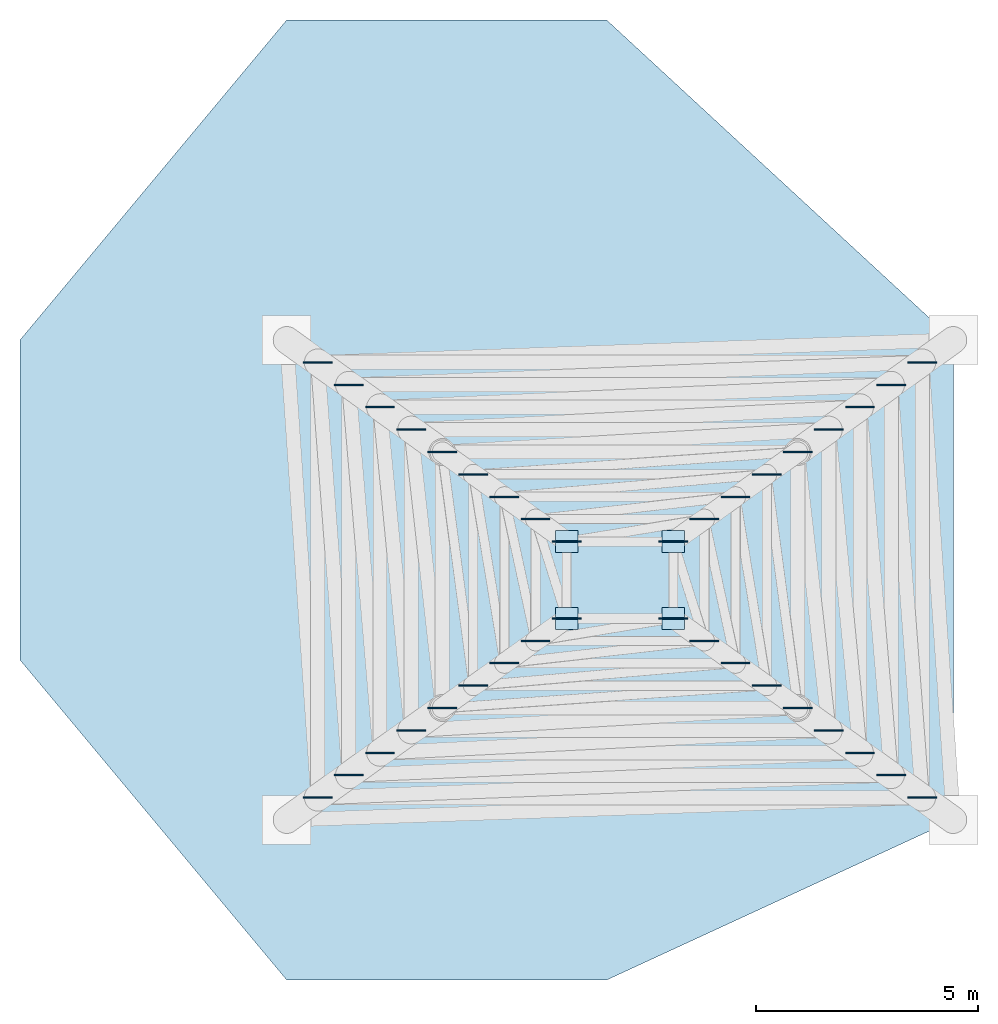
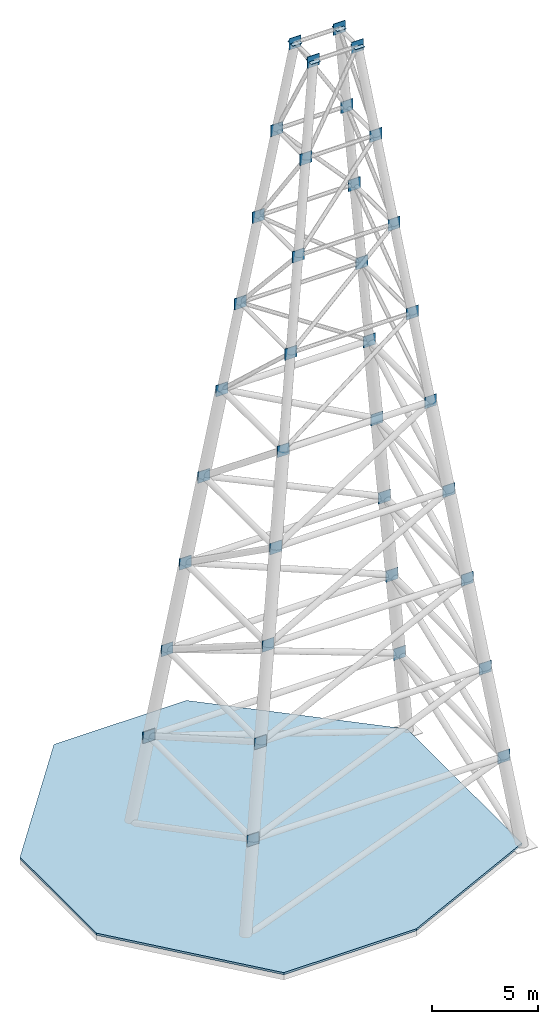
# One storey, part 3 of 3: 40 plates, 1 roof.
"""IFC4 building model written with IfcOpenShell, lengths in metres."""

from ifc_helpers import new_model, si_unit, derived_unit, direction, frame, origin, origin_2d, place, context, subcontext, project, spatial, polyline, rectangle, outline, extrude, source, transform, mapped, material, layer, layer_set, type_object, type_shapes, element, save


model = new_model("IFC4")

# Units and contexts
model_context = context("Model", 3, precision=1e-05, world=origin(), true_north=direction((0.0, 1.0)))
body_context = subcontext(model_context, "Body", "Model", "MODEL_VIEW")
ifc_project = project(units=[si_unit("LENGTHUNIT", "METRE"), si_unit("AREAUNIT", "SQUARE_METRE"), si_unit("VOLUMEUNIT", "CUBIC_METRE"), si_unit("PLANEANGLEUNIT", "RADIAN"), si_unit("MASSUNIT", "GRAM", prefix="KILO"), si_unit("THERMODYNAMICTEMPERATUREUNIT", "KELVIN"), si_unit("POWERUNIT", "WATT"), derived_unit("THERMALTRANSMITTANCEUNIT", [(si_unit("POWERUNIT", "WATT"), 1), (si_unit("AREAUNIT", "SQUARE_METRE"), -1), (si_unit("THERMODYNAMICTEMPERATUREUNIT", "KELVIN"), -1)])], contexts=[model_context])

# Site, building, storey
site_placement = place(None, origin())
site = spatial("IfcSite", under=ifc_project, at=site_placement, CompositionType="ELEMENT")
building_placement = place(site_placement, origin())
building = spatial("IfcBuilding", under=site, at=building_placement, Name="Zahravan Archway Hotel and Residences", CompositionType="ELEMENT")
storey_placement = place(building_placement, frame((0.0, 0.0, 308.699951171875)))
storey = spatial("IfcBuildingStorey", under=building, at=storey_placement, Name="RF", CompositionType="ELEMENT", Elevation=308.699951171875)

# Plates
ifc_material_1 = material(Name="Structural Steel S355J2", Category="steel")
ifc_layer_1 = layer(ifc_material_1, 0.031982421875, Name="Structural Steel S355J2", Category="steel")
ifc_layer_set_1 = layer_set([ifc_layer_1], Name="Structural Steel S355J2")
plate_type_1 = type_object("IfcPlateType", Name="PLT-GUS-MN1", PredefinedType="USERDEFINED", material=ifc_layer_set_1)
shared_shape_1 = source(origin(), body_context, "Body", "SweptSolid", [
    extrude(rectangle(XDim=0.64990234375, YDim=0.031982421875, at=origin_2d()), origin(), (0.0, 0.0, 1.0), 0.64990234375),
])
type_shapes(plate_type_1, [shared_shape_1])
for number, where, z_axis, x_axis, name in (
    (1, (35.5, 4.10400390625, 4.70849609375), (0.0, 0.0, 1.0), (1.0, 0.0, 0.0), "MAST Node Gusset Plate MN1-T1-1"),
    (2, (49.10009765625, 4.10400390625, 4.70849609375), (0.0, 0.0, 1.0), (1.0, 0.0, 0.0), "MAST Node Gusset Plate MN1-T1-2"),
    (3, (49.10009765625, 13.89599609375, 4.70849609375), (0.0, 0.0, 1.0), (1.0, 0.0, 0.0), "MAST Node Gusset Plate MN1-T1-3"),
    (4, (35.5, 13.89599609375, 4.70849609375), (0.0, 0.0, 1.0), (1.0, 0.0, 0.0), "MAST Node Gusset Plate MN1-T1-4"),
    (5, (36.199951171875, 4.60791015625, 9.74169921875), (0.0, 0.0, 1.0), (1.0, 0.0, 0.0), "MAST Node Gusset Plate MN1-T2-1"),
    (6, (48.39990234375, 4.60791015625, 9.74169921875), (0.0, 0.0, 1.0), (1.0, 0.0, 0.0), "MAST Node Gusset Plate MN1-T2-2"),
    (7, (48.39990234375, 13.39208984375, 9.74169921875), (0.0, 0.0, 1.0), (1.0, 0.0, 0.0), "MAST Node Gusset Plate MN1-T2-3"),
    (8, (36.199951171875, 13.39208984375, 9.74169921875), (0.0, 0.0, 1.0), (1.0, 0.0, 0.0), "MAST Node Gusset Plate MN1-T2-4"),
    (9, (36.89990234375, 5.112060546875, 14.775146484375), (0.0, 0.0, 1.0), (1.0, 0.0, 0.0), "MAST Node Gusset Plate MN1-T3-1"),
    (10, (47.699951171875, 5.112060546875, 14.775146484375), (0.0, 0.0, 1.0), (1.0, 0.0, 0.0), "MAST Node Gusset Plate MN1-T3-2"),
    (11, (47.699951171875, 12.887939453125, 14.775146484375), (0.0, 0.0, 1.0), (1.0, 0.0, 0.0), "MAST Node Gusset Plate MN1-T3-3"),
    (12, (36.89990234375, 12.887939453125, 14.775146484375), (0.0, 0.0, 1.0), (1.0, 0.0, 0.0), "MAST Node Gusset Plate MN1-T3-4"),
    (13, (37.60009765625, 5.615966796875, 19.808349609375), (0.0, 0.0, 1.0), (1.0, 0.0, 0.0), "MAST Node Gusset Plate MN1-T4-1"),
    (14, (47.0, 5.615966796875, 19.808349609375), (0.0, 0.0, 1.0), (1.0, 0.0, 0.0), "MAST Node Gusset Plate MN1-T4-2"),
    (15, (47.0, 12.384033203125, 19.808349609375), (0.0, 0.0, 1.0), (1.0, 0.0, 0.0), "MAST Node Gusset Plate MN1-T4-3"),
    (16, (37.60009765625, 12.384033203125, 19.808349609375), (0.0, 0.0, 1.0), (1.0, 0.0, 0.0), "MAST Node Gusset Plate MN1-T4-4"),
    (17, (38.300048828125, 6.1201171875, 24.841796875), (0.0, 0.0, 1.0), (1.0, 0.0, 0.0), "MAST Node Gusset Plate MN1-T5-1"),
    (18, (46.300048828125, 6.1201171875, 24.841796875), (0.0, 0.0, 1.0), (1.0, 0.0, 0.0), "MAST Node Gusset Plate MN1-T5-2"),
    (19, (46.300048828125, 11.8798828125, 24.841796875), (0.0, 0.0, 1.0), (1.0, 0.0, 0.0), "MAST Node Gusset Plate MN1-T5-3"),
    (20, (38.300048828125, 11.8798828125, 24.841796875), (0.0, 0.0, 1.0), (1.0, 0.0, 0.0), "MAST Node Gusset Plate MN1-T5-4"),
    (21, (39.0, 6.6240234375, 29.875), (0.0, 0.0, 1.0), (1.0, 0.0, 0.0), "MAST Node Gusset Plate MN1-T6-1"),
    (22, (45.60009765625, 6.6240234375, 29.875), (0.0, 0.0, 1.0), (1.0, 0.0, 0.0), "MAST Node Gusset Plate MN1-T6-2"),
    (23, (45.60009765625, 11.3759765625, 29.875), (0.0, 0.0, 1.0), (1.0, 0.0, 0.0), "MAST Node Gusset Plate MN1-T6-3"),
    (24, (39.0, 11.3759765625, 29.875), (0.0, 0.0, 1.0), (1.0, 0.0, 0.0), "MAST Node Gusset Plate MN1-T6-4"),
    (25, (39.699951171875, 7.1279296875, 34.908447265625), (0.0, 0.0, 1.0), (1.0, 0.0, 0.0), "MAST Node Gusset Plate MN1-T7-1"),
    (26, (44.89990234375, 7.1279296875, 34.908447265625), (0.0, 0.0, 1.0), (1.0, 0.0, 0.0), "MAST Node Gusset Plate MN1-T7-2"),
    (27, (44.89990234375, 10.8720703125, 34.908447265625), (0.0, 0.0, 1.0), (1.0, 0.0, 0.0), "MAST Node Gusset Plate MN1-T7-3"),
    (28, (39.699951171875, 10.8720703125, 34.908447265625), (0.0, 0.0, 1.0), (1.0, 0.0, 0.0), "MAST Node Gusset Plate MN1-T7-4"),
    (29, (40.39990234375, 7.632080078125, 39.94189453125), (0.0, 0.0, 1.0), (1.0, 0.0, 0.0), "MAST Node Gusset Plate MN1-T8-1"),
    (30, (44.199951171875, 7.632080078125, 39.94189453125), (0.0, 0.0, 1.0), (1.0, 0.0, 0.0), "MAST Node Gusset Plate MN1-T8-2"),
    (31, (44.199951171875, 10.367919921875, 39.94189453125), (0.0, 0.0, 1.0), (1.0, 0.0, 0.0), "MAST Node Gusset Plate MN1-T8-3"),
    (32, (40.39990234375, 10.367919921875, 39.94189453125), (0.0, 0.0, 1.0), (1.0, 0.0, 0.0), "MAST Node Gusset Plate MN1-T8-4"),
    (33, (41.10009765625, 8.135986328125, 44.97509765625), (0.0, 0.0, 1.0), (1.0, 0.0, 0.0), "MAST Node Gusset Plate MN1-T9-1"),
    (34, (43.5, 8.135986328125, 44.97509765625), (0.0, 0.0, 1.0), (1.0, 0.0, 0.0), "MAST Node Gusset Plate MN1-T9-2"),
    (35, (43.5, 9.864013671875, 44.97509765625), (0.0, 0.0, 1.0), (1.0, 0.0, 0.0), "MAST Node Gusset Plate MN1-T9-3"),
    (36, (41.10009765625, 9.864013671875, 44.97509765625), (0.0, 0.0, 1.0), (1.0, 0.0, 0.0), "MAST Node Gusset Plate MN1-T9-4"),
):
    element("IfcPlate", number, at=place(storey_placement, frame(where, z_axis=z_axis, x_axis=x_axis)), inside=storey, type_object=plate_type_1, Name=name, ObjectType="GUSSET", PredefinedType="USERDEFINED", context=body_context, shape_type="MappedRepresentation", body=[
        mapped(shared_shape_1, transform((0.0, 0.0, 0.0), scale=1.0)),
    ])
ifc_layer_2 = layer(ifc_material_1, 0.02490234375, Name="Structural Steel S355J2", Category="steel")
ifc_layer_set_2 = layer_set([ifc_layer_2], Name="Structural Steel S355J2")
plate_type_2 = type_object("IfcPlateType", Name="PLT-CAP-ECP2", PredefinedType="SHEET", material=ifc_layer_set_2)
shared_shape_2 = source(origin(), body_context, "Body", "SweptSolid", [
    extrude(rectangle(XDim=0.5, YDim=0.5, at=origin_2d()), origin(), (0.0, 0.0, 1.0), 0.02490234375),
])
type_shapes(plate_type_2, [shared_shape_2])
for number, where, z_axis, x_axis, name in (
    (37, (41.10009765625, 8.135986328125, 45.302490234375), (0.0, 0.0, 1.0), (1.0, 0.0, 0.0), "MAST Top Hollow Leg Cap Plate ECP2-1"),
    (38, (43.5, 8.135986328125, 45.302490234375), (0.0, 0.0, 1.0), (1.0, 0.0, 0.0), "MAST Top Hollow Leg Cap Plate ECP2-2"),
    (39, (43.5, 9.864013671875, 45.302490234375), (0.0, 0.0, 1.0), (1.0, 0.0, 0.0), "MAST Top Hollow Leg Cap Plate ECP2-3"),
    (40, (41.10009765625, 9.864013671875, 45.302490234375), (0.0, 0.0, 1.0), (1.0, 0.0, 0.0), "MAST Top Hollow Leg Cap Plate ECP2-4"),
):
    element("IfcPlate", number, at=place(storey_placement, frame(where, z_axis=z_axis, x_axis=x_axis)), inside=storey, type_object=plate_type_2, Name=name, PredefinedType="SHEET", context=body_context, shape_type="MappedRepresentation", body=[
        mapped(shared_shape_2, transform((0.0, 0.0, 0.0), scale=1.0)),
    ])

# Roof
ifc_material_2 = material(Name="Insulated Sandstone Ballasted Roof System", Category="masonry")
ifc_layer_3 = layer(ifc_material_2, 0.1201171875, Name="Insulated Sandstone Ballasted Roof System", Category="masonry")
ifc_layer_set_3 = layer_set([ifc_layer_3], Name="Insulated Sandstone Ballasted Roof System")
roof_type = type_object("IfcRoofType", Name="RF-CANOPY-FLAT", PredefinedType="FLAT_ROOF", material=ifc_layer_set_3)
roof_placement = place(storey_placement, origin())
element("IfcRoof", 41, at=roof_placement, inside=storey, type_object=roof_type, Name="Octagonal Crown Chhatri Roof Assembly", PredefinedType="FLAT_ROOF", context=body_context, shape_type="SweptSolid", body=[
    extrude(outline(polyline([(34.800048828125, 0.0), (42.0, 0.0), (49.800048828125, 3.60009765625), (49.800048828125, 14.39990234375), (42.0, 21.60009765625), (34.800048828125, 21.60009765625), (28.800048828125, 14.39990234375), (28.800048828125, 7.199951171875), (34.800048828125, 0.0)])), origin(), (0.0, 0.0, 1.0), 0.1201171875),
])

save(model, "model.ifc")
